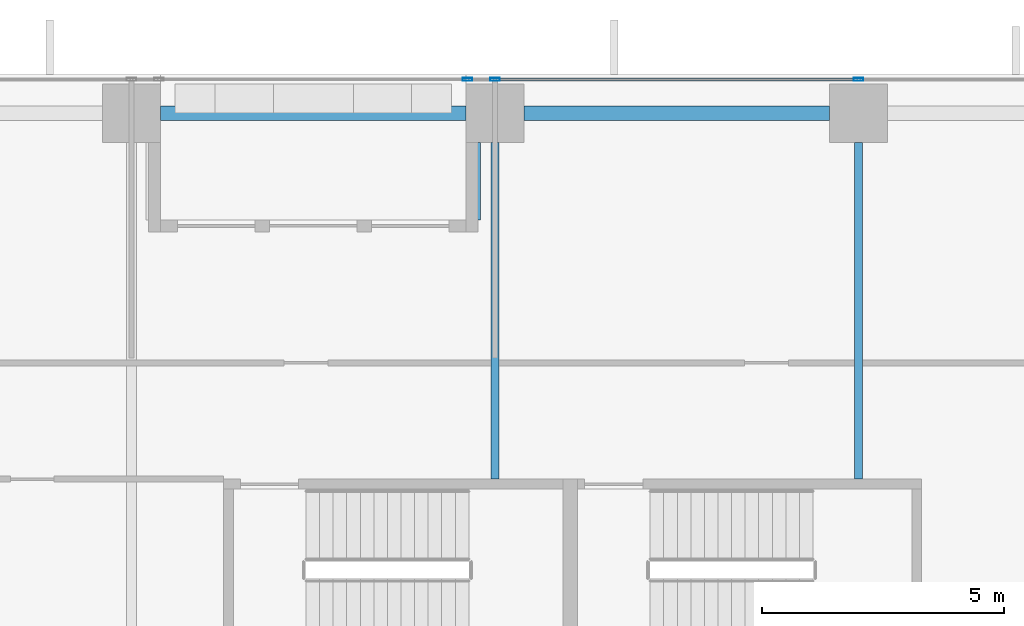
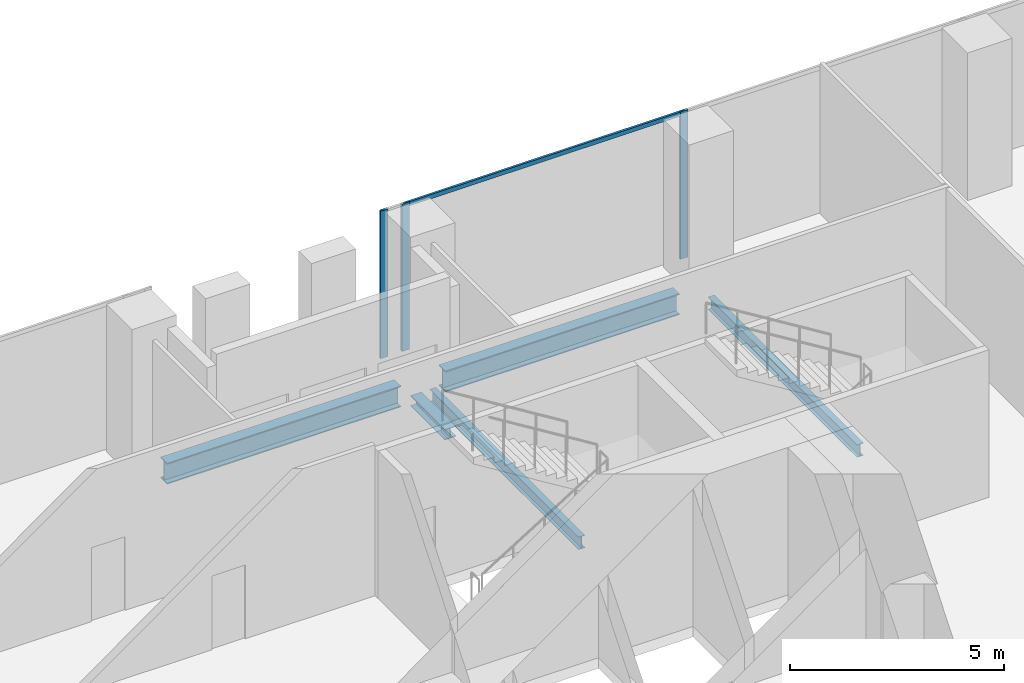
# One storey, part 15 of 32: 5 beams, 4 members, 1 element without a shape of its own.
"""IFC4 building model written with IfcOpenShell, lengths in metres."""

from ifc_helpers import new_model, si_unit, direction, frame, origin, origin_2d, place, context, subcontext, project, spatial, hollow_rectangle, i_section, extrude, source, transform, mapped, material, material_profile, profile_set, type_object, element, aggregate, save


model = new_model("IFC4")

# Units and contexts
model_context = context("Model", 3, precision=1e-05, world=origin(), true_north=direction((0.0, 1.0)))
body_context = subcontext(model_context, "Body", "Model", "MODEL_VIEW")
ifc_project = project(units=[si_unit("LENGTHUNIT", "METRE"), si_unit("AREAUNIT", "SQUARE_METRE"), si_unit("VOLUMEUNIT", "CUBIC_METRE"), si_unit("PLANEANGLEUNIT", "RADIAN"), si_unit("MASSUNIT", "GRAM", prefix="KILO")], contexts=[model_context])

# Site, building, storey
site_placement = place(None, origin())
site = spatial("IfcSite", under=ifc_project, at=site_placement, CompositionType="ELEMENT")
building_placement = place(site_placement, origin())
building = spatial("IfcBuilding", under=site, at=building_placement, Name="Khomas Fold Tower", CompositionType="ELEMENT")
storey_placement = place(building_placement, frame((0.0, 0.0, 37.5)))
storey = spatial("IfcBuildingStorey", under=building, at=storey_placement, Name="L07", CompositionType="ELEMENT", Elevation=37.5)

# Beams
ifc_material_1 = material(Name="Steel S355", Category="steel")
ifc_material_profile_1 = material_profile(ifc_material_1, i_section(OverallWidth=0.169921875, OverallDepth=0.360107421875, WebThickness=0.008056640625, FlangeThickness=0.0126953125, at=origin_2d()), Name="IPE 360")
ifc_profile_set_1 = profile_set([ifc_material_profile_1], Name="Steel S355")
beam_type_1 = type_object("IfcBeamType", Name="IPE 360 beam JB2", PredefinedType="BEAM", material=ifc_profile_set_1)
shared_shape_1 = source(origin(), body_context, "Body", "SweptSolid", [
    extrude(i_section(OverallWidth=0.169921875, OverallDepth=0.360107421875, WebThickness=0.008056640625, FlangeThickness=0.0126953125, at=origin_2d()), origin(), (0.0, 0.0, 1.0), 6.9501953125),
])
for number, where, z_axis, x_axis, name in (
    (1, (19.5, 45.64990234375, -0.47998046875), (0.0, 1.0, 0.0), (-1.0, 0.0, 0.0), "JB2"),
    (2, (27.0, 45.64990234375, -0.47998046875), (0.0, 1.0, 0.0), (-1.0, 0.0, 0.0), "JB2"),
):
    element("IfcBeam", number, at=place(storey_placement, frame(where, z_axis=z_axis, x_axis=x_axis)), inside=storey, type_object=beam_type_1, Name=name, PredefinedType="BEAM", context=body_context, shape_type="MappedRepresentation", body=[
        mapped(shared_shape_1, transform((0.0, 0.0, 0.0))),
    ])
ifc_material_2 = material(Name="Steel S355", Category="steel")
ifc_material_profile_2 = material_profile(ifc_material_2, i_section(OverallWidth=0.300048828125, OverallDepth=0.60009765625, WebThickness=0.015380859375, FlangeThickness=0.030029296875, at=origin_2d()), Name="HE 600 B")
ifc_profile_set_2 = profile_set([ifc_material_profile_2], Name="Steel S355")
beam_type_2 = type_object("IfcBeamType", Name="HE 600 B spandrel SB1", PredefinedType="SPANDREL", material=ifc_profile_set_2)
shared_shape_2 = source(origin(), body_context, "Body", "SweptSolid", [
    extrude(i_section(OverallWidth=0.300048828125, OverallDepth=0.60009765625, WebThickness=0.015380859375, FlangeThickness=0.030029296875, at=origin_2d()), origin(), (0.0, 0.0, 1.0), 6.2998046875),
])
for number, where, z_axis, x_axis, name in (
    (3, (20.10009765625, 53.199951171875, -0.60009765625), (1.0, 0.0, 0.0), (0.0, 1.0, 0.0), "SB1"),
    (4, (12.60009765625, 53.199951171875, -0.60009765625), (1.0, 0.0, 0.0), (0.0, 1.0, 0.0), "SB1"),
):
    element("IfcBeam", number, at=place(storey_placement, frame(where, z_axis=z_axis, x_axis=x_axis)), inside=storey, type_object=beam_type_2, Name=name, PredefinedType="SPANDREL", context=body_context, shape_type="MappedRepresentation", body=[
        mapped(shared_shape_2, transform((0.0, 0.0, 0.0))),
    ])
ifc_material_3 = material(Name="Steel S355", Category="steel")
ifc_material_profile_3 = material_profile(ifc_material_3, i_section(OverallWidth=0.300048828125, OverallDepth=0.300048828125, WebThickness=0.010986328125, FlangeThickness=0.01904296875, at=origin_2d()), Name="HE 300 B")
ifc_profile_set_3 = profile_set([ifc_material_profile_3], Name="Steel S355")
beam_type_3 = type_object("IfcBeamType", Name="HE 300 B beam BB1", PredefinedType="BEAM", material=ifc_profile_set_3)
shared_shape_3 = source(origin(), body_context, "Body", "SweptSolid", [
    extrude(i_section(OverallWidth=0.300048828125, OverallDepth=0.300048828125, WebThickness=0.010986328125, FlangeThickness=0.01904296875, at=origin_2d()), origin(), (0.0, 0.0, 1.0), 1.60009765625),
])
beam_placement = place(storey_placement, frame((19.050048828125, 51.0, -0.449951171875), z_axis=(0.0, 1.0, 0.0), x_axis=(-1.0, 0.0, 0.0)))
element("IfcBeam", 5, at=beam_placement, inside=storey, type_object=beam_type_3, Name="BB1", PredefinedType="BEAM", context=body_context, shape_type="MappedRepresentation", body=[
    mapped(shared_shape_3, transform((0.0, 0.0, 0.0))),
])

# Curtain wall, members
ifc_material_4 = material(Name="Aluminium framed double glazing", Category="aluminium")
curtain_wall_type = type_object("IfcCurtainWallType", Name="SK-Unitised clear-glass wall, growing floors CW1", PredefinedType="NOTDEFINED", material=ifc_material_4)
curtain_wall_placement = place(storey_placement, origin())
curtain_wall = element("IfcCurtainWall", 6, at=curtain_wall_placement, inside=storey, type_object=curtain_wall_type, Name="CW1 run L07 06-0", PredefinedType="NOTDEFINED")
ifc_material_5 = material(Name="Aluminium", Category="aluminium")
ifc_material_profile_4 = material_profile(ifc_material_5, hollow_rectangle(XDim=0.06005859375, YDim=0.1201171875, WallThickness=0.00390625, at=origin_2d()), Name="SK-Unitised clear-glass wall, growing floors transom CW1-T")
ifc_profile_set_4 = profile_set([ifc_material_profile_4], Name="Aluminium")
member_type_1 = type_object("IfcMemberType", Name="SK-Unitised clear-glass wall, growing floors transom CW1-T", PredefinedType="USERDEFINED", material=ifc_profile_set_4)
shared_shape_4 = source(origin(), body_context, "Body", "SweptSolid", [
    extrude(hollow_rectangle(XDim=0.06005859375, YDim=0.1201171875, WallThickness=0.00390625, at=origin_2d()), origin(), (0.0, 0.0, 1.0), 7.43994140625),
])
member_1_placement = place(storey_placement, frame((26.969970703125, 53.89990234375, 4.139892578125), z_axis=(-1.0, 0.0, 0.0), x_axis=(0.0, -1.0, 0.0)))
member_1 = element("IfcMember", 7, at=member_1_placement, type_object=member_type_1, Name="CW1 transom 5", ObjectType="TRANSOM", PredefinedType="USERDEFINED", context=body_context, shape_type="MappedRepresentation", body=[
    mapped(shared_shape_4, transform((0.0, 0.0, 0.0))),
])
ifc_material_6 = material(Name="Aluminium", Category="aluminium")
ifc_material_profile_5 = material_profile(ifc_material_6, hollow_rectangle(XDim=0.06005859375, YDim=0.199951171875, WallThickness=0.00390625, at=origin_2d()), Name="SK-Unitised clear-glass wall, growing floors mullion CW1-M")
ifc_profile_set_5 = profile_set([ifc_material_profile_5], Name="Aluminium")
member_type_2 = type_object("IfcMemberType", Name="SK-Unitised clear-glass wall, growing floors mullion CW1-M", PredefinedType="MULLION", material=ifc_profile_set_5)
shared_shape_5 = source(origin(), body_context, "Body", "SweptSolid", [
    extrude(hollow_rectangle(XDim=0.06005859375, YDim=0.199951171875, WallThickness=0.00390625, at=origin_2d()), origin(), (0.0, 0.0, 1.0), 4.199951171875),
])
member_2_placement = place(storey_placement, frame((27.0, 53.89990234375, 0.0), z_axis=(0.0, 0.0, 1.0), x_axis=(0.0, -1.0, 0.0)))
member_2 = element("IfcMember", 8, at=member_2_placement, type_object=member_type_2, Name="CW1 mullion 5", PredefinedType="MULLION", context=body_context, shape_type="MappedRepresentation", body=[
    mapped(shared_shape_5, transform((0.0, 0.0, 0.0))),
])
member_3_placement = place(storey_placement, frame((19.5, 53.89990234375, 0.0), z_axis=(0.0, 0.0, 1.0), x_axis=(0.0, -1.0, 0.0)))
member_3 = element("IfcMember", 9, at=member_3_placement, type_object=member_type_2, Name="CW1 mullion 6", PredefinedType="MULLION", context=body_context, shape_type="MappedRepresentation", body=[
    mapped(shared_shape_5, transform((0.0, 0.0, 0.0))),
])
member_4_placement = place(storey_placement, frame((18.929931640625, 53.89990234375, 0.0), z_axis=(0.0, 0.0, 1.0), x_axis=(0.0, -1.0, 0.0)))
member_4 = element("IfcMember", 10, at=member_4_placement, type_object=member_type_2, Name="CW1 mullion 7", PredefinedType="MULLION", context=body_context, shape_type="MappedRepresentation", body=[
    mapped(shared_shape_5, transform((0.0, 0.0, 0.0))),
])
aggregate(curtain_wall, [member_2, member_3, member_4, member_1])

save(model, "model.ifc")
